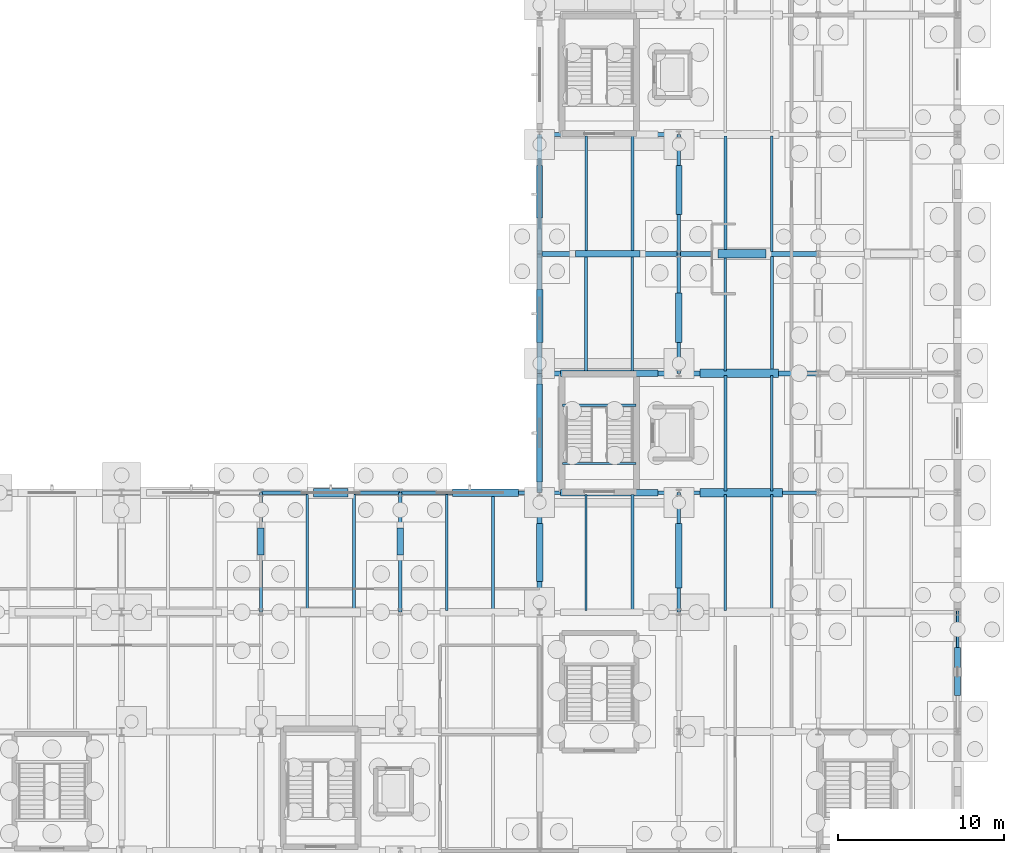
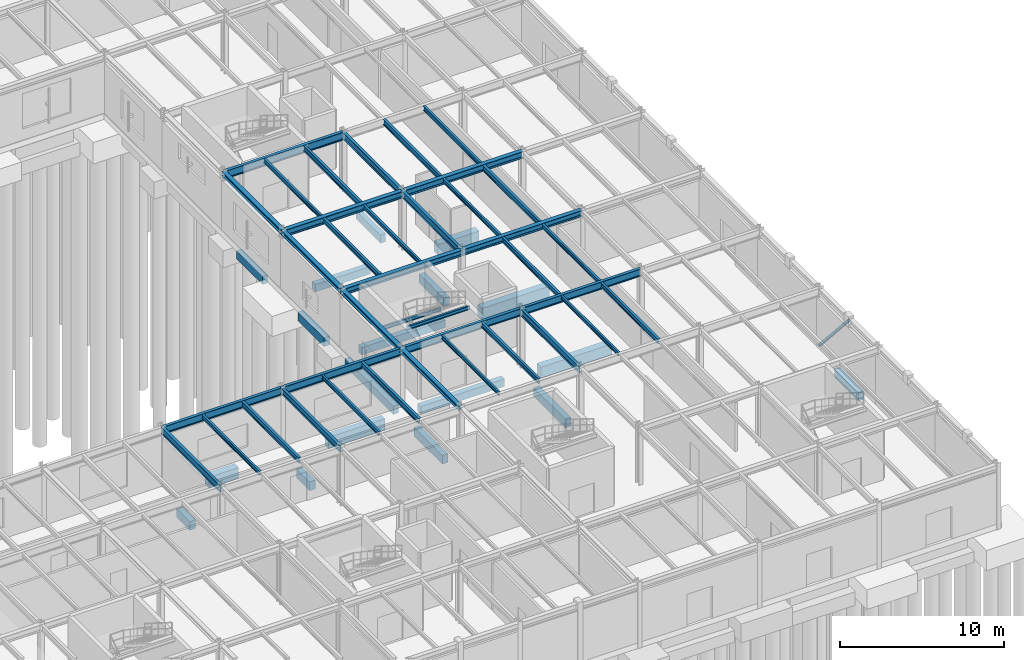
# One storey, part 44 of 93: 56 beams, 1 member.
"""IFC4 building model written with IfcOpenShell, lengths in metres."""

from ifc_helpers import new_model, si_unit, derived_unit, direction, frame, origin, origin_2d, place, context, subcontext, project, spatial, rectangle, hollow_rectangle, i_section, extrude, material, material_profile, profile_set, type_object, element, save


model = new_model("IFC4")

# Units and contexts
model_context = context("Model", 3, precision=1e-05, world=origin(), true_north=direction((0.0, 1.0)))
body_context = subcontext(model_context, "Body", "Model", "MODEL_VIEW")
ifc_project = project(units=[si_unit("LENGTHUNIT", "METRE"), si_unit("AREAUNIT", "SQUARE_METRE"), si_unit("VOLUMEUNIT", "CUBIC_METRE"), si_unit("PLANEANGLEUNIT", "RADIAN"), si_unit("MASSUNIT", "GRAM", prefix="KILO"), derived_unit("THERMALTRANSMITTANCEUNIT", [(si_unit("MASSUNIT", "GRAM", prefix="KILO"), 1), (si_unit("TIMEUNIT", "SECOND"), -3), (si_unit("THERMODYNAMICTEMPERATUREUNIT", "KELVIN"), -1)])], contexts=[model_context])

# Site, building, storey
site_placement = place(None, origin())
site = spatial("IfcSite", under=ifc_project, at=site_placement, CompositionType="ELEMENT")
building_placement = place(site_placement, origin())
building = spatial("IfcBuilding", under=site, at=building_placement, Name="Kharveza Railside Sports Centre", CompositionType="ELEMENT")
storey_placement = place(building_placement, origin())
storey = spatial("IfcBuildingStorey", under=building, at=storey_placement, Name="L00", CompositionType="ELEMENT", Elevation=0.0)

# Beams
ifc_material_1 = material(Name="Steel S355J2", Category="steel")
ifc_material_profile_1 = material_profile(ifc_material_1, i_section(OverallWidth=0.219970703125, OverallDepth=0.60009765625, WebThickness=0.011962890625, FlangeThickness=0.01904296875, FilletRadius=0.02392578125, at=origin_2d()), Name="IPE 600")
ifc_profile_set_1 = profile_set([ifc_material_profile_1], Name="Steel S355J2")
beam_type_1 = type_object("IfcBeamType", Name="BM-G01", PredefinedType="T_BEAM", material=ifc_profile_set_1)
beam_1_placement = place(storey_placement, frame((142.800048828125, 57.60009765625, 4.02001953125), z_axis=(1.0, 0.0, 0.0), x_axis=(0.0, 1.0, 0.0)))
element("IfcBeam", 1, at=beam_1_placement, inside=storey, type_object=beam_type_1, Name="BM-EW-L00-B01-X1428-Y576", PredefinedType="T_BEAM", context=body_context, shape_type="SweptSolid", body=[
    extrude(i_section(OverallWidth=0.219970703125, OverallDepth=0.60009765625, WebThickness=0.011962890625, FlangeThickness=0.01904296875, FilletRadius=0.02392578125, at=origin_2d()), origin(), (0.0, 0.0, 1.0), 8.39990234375),
])
ifc_material_profile_2 = material_profile(ifc_material_1, i_section(OverallWidth=0.2099609375, OverallDepth=0.550048828125, WebThickness=0.010986328125, FlangeThickness=0.01708984375, FilletRadius=0.02392578125, at=origin_2d()), Name="IPE 550")
ifc_profile_set_2 = profile_set([ifc_material_profile_2], Name="Steel S355J2")
beam_type_2 = type_object("IfcBeamType", Name="BM-G02", PredefinedType="T_BEAM", material=ifc_profile_set_2)
beam_2_placement = place(storey_placement, frame((126.0, 36.0, 4.044921875), z_axis=(1.0, 0.0, 0.0), x_axis=(0.0, 1.0, 0.0)))
element("IfcBeam", 2, at=beam_2_placement, inside=storey, type_object=beam_type_2, Name="BM-EW-L00-B02-X1260-Y360", PredefinedType="T_BEAM", context=body_context, shape_type="SweptSolid", body=[
    extrude(i_section(OverallWidth=0.2099609375, OverallDepth=0.550048828125, WebThickness=0.010986328125, FlangeThickness=0.01708984375, FilletRadius=0.02392578125, at=origin_2d()), origin(), (0.0, 0.0, 1.0), 8.39990234375),
])
beam_3_placement = place(storey_placement, frame((134.39990234375, 36.0, 4.044921875), z_axis=(1.0, 0.0, 0.0), x_axis=(0.0, 1.0, 0.0)))
element("IfcBeam", 3, at=beam_3_placement, inside=storey, type_object=beam_type_2, Name="BM-EW-L00-B02-X1344-Y360", PredefinedType="T_BEAM", context=body_context, shape_type="SweptSolid", body=[
    extrude(i_section(OverallWidth=0.2099609375, OverallDepth=0.550048828125, WebThickness=0.010986328125, FlangeThickness=0.01708984375, FilletRadius=0.02392578125, at=origin_2d()), origin(), (0.0, 0.0, 1.0), 8.400146484375),
])
beam_4_placement = place(storey_placement, frame((142.800048828125, 36.0, 4.044921875), z_axis=(1.0, 0.0, 0.0), x_axis=(0.0, 1.0, 0.0)))
element("IfcBeam", 4, at=beam_4_placement, inside=storey, type_object=beam_type_2, Name="BM-EW-L00-B02-X1428-Y360", PredefinedType="T_BEAM", context=body_context, shape_type="SweptSolid", body=[
    extrude(i_section(OverallWidth=0.2099609375, OverallDepth=0.550048828125, WebThickness=0.010986328125, FlangeThickness=0.01708984375, FilletRadius=0.02392578125, at=origin_2d()), origin(), (0.0, 0.0, 1.0), 8.39990234375),
])
beam_5_placement = place(storey_placement, frame((151.199951171875, 36.0, 4.044921875), z_axis=(1.0, 0.0, 0.0), x_axis=(0.0, 1.0, 0.0)))
element("IfcBeam", 5, at=beam_5_placement, inside=storey, type_object=beam_type_2, Name="BM-EW-L00-B02-X1512-Y360", PredefinedType="T_BEAM", context=body_context, shape_type="SweptSolid", body=[
    extrude(i_section(OverallWidth=0.2099609375, OverallDepth=0.550048828125, WebThickness=0.010986328125, FlangeThickness=0.01708984375, FilletRadius=0.02392578125, at=origin_2d()), origin(), (0.0, 0.0, 1.0), 8.400146484375),
])
ifc_material_profile_3 = material_profile(ifc_material_1, i_section(OverallWidth=0.199951171875, OverallDepth=0.5, WebThickness=0.01025390625, FlangeThickness=0.01611328125, FilletRadius=0.02099609375, at=origin_2d()), Name="IPE 500")
ifc_profile_set_3 = profile_set([ifc_material_profile_3], Name="Steel S355J2")
beam_type_3 = type_object("IfcBeamType", Name="BM-G03", PredefinedType="T_BEAM", material=ifc_profile_set_3)
for number, where, z_axis, x_axis, name in (
    (6, (126.0, 28.800048828125, 4.070068359375), (0.0, 1.0, 0.0), (-1.0, 0.0, 0.0), "BM-NS-L00-B03-X1260-Y288"),
    (7, (151.199951171875, 28.800048828125, 4.070068359375), (0.0, 1.0, 0.0), (-1.0, 0.0, 0.0), "BM-NS-L00-B03-X1512-Y288"),
    (8, (151.199951171875, 43.199951171875, 4.070068359375), (0.0, 1.0, 0.0), (-1.0, 0.0, 0.0), "BM-NS-L00-B03-X1512-Y432"),
):
    element("IfcBeam", number, at=place(storey_placement, frame(where, z_axis=z_axis, x_axis=x_axis)), inside=storey, type_object=beam_type_3, Name=name, PredefinedType="T_BEAM", context=body_context, shape_type="SweptSolid", body=[
        extrude(i_section(OverallWidth=0.199951171875, OverallDepth=0.5, WebThickness=0.01025390625, FlangeThickness=0.01611328125, FilletRadius=0.02099609375, at=origin_2d()), origin(), (0.0, 0.0, 1.0), 7.199951171875),
    ])
beam_6_placement = place(storey_placement, frame((151.199951171875, 50.39990234375, 4.070068359375), z_axis=(0.0, 1.0, 0.0), x_axis=(-1.0, 0.0, 0.0)))
element("IfcBeam", 9, at=beam_6_placement, inside=storey, type_object=beam_type_3, Name="BM-NS-L00-B03-X1512-Y504", PredefinedType="T_BEAM", context=body_context, shape_type="SweptSolid", body=[
    extrude(i_section(OverallWidth=0.199951171875, OverallDepth=0.5, WebThickness=0.01025390625, FlangeThickness=0.01611328125, FilletRadius=0.02099609375, at=origin_2d()), origin(), (0.0, 0.0, 1.0), 7.2001953125),
])
ifc_material_profile_4 = material_profile(ifc_material_1, i_section(OverallWidth=0.18994140625, OverallDepth=0.449951171875, WebThickness=0.009521484375, FlangeThickness=0.0146484375, FilletRadius=0.02099609375, at=origin_2d()), Name="IPE 450")
ifc_profile_set_4 = profile_set([ifc_material_profile_4], Name="Steel S355J2")
beam_type_4 = type_object("IfcBeamType", Name="BM-G04", PredefinedType="T_BEAM", material=ifc_profile_set_4)
beam_7_placement = place(storey_placement, frame((134.39990234375, 28.800048828125, 4.094970703125), z_axis=(0.0, 1.0, 0.0), x_axis=(-1.0, 0.0, 0.0)))
element("IfcBeam", 10, at=beam_7_placement, inside=storey, type_object=beam_type_4, Name="BM-NS-L00-B04-X1344-Y288", PredefinedType="T_BEAM", context=body_context, shape_type="SweptSolid", body=[
    extrude(i_section(OverallWidth=0.18994140625, OverallDepth=0.449951171875, WebThickness=0.009521484375, FlangeThickness=0.0146484375, FilletRadius=0.02099609375, at=origin_2d()), origin(), (0.0, 0.0, 1.0), 7.199951171875),
])
ifc_material_profile_5 = material_profile(ifc_material_1, i_section(OverallWidth=0.300048828125, OverallDepth=0.5, WebThickness=0.014404296875, FlangeThickness=0.028076171875, FilletRadius=0.027099609375, at=origin_2d()), Name="HEB 500")
ifc_profile_set_5 = profile_set([ifc_material_profile_5], Name="Steel S355J2")
beam_type_5 = type_object("IfcBeamType", Name="BM-G05", PredefinedType="T_BEAM", material=ifc_profile_set_5)
beam_8_placement = place(storey_placement, frame((142.800048828125, 50.39990234375, 4.070068359375), z_axis=(1.0, 0.0, 0.0), x_axis=(0.0, 1.0, 0.0)))
element("IfcBeam", 11, at=beam_8_placement, inside=storey, type_object=beam_type_5, Name="BM-EW-L00-B05-X1428-Y504", PredefinedType="T_BEAM", context=body_context, shape_type="SweptSolid", body=[
    extrude(i_section(OverallWidth=0.300048828125, OverallDepth=0.5, WebThickness=0.014404296875, FlangeThickness=0.028076171875, FilletRadius=0.027099609375, at=origin_2d()), origin(), (0.0, 0.0, 1.0), 8.39990234375),
])
beam_9_placement = place(storey_placement, frame((151.199951171875, 50.39990234375, 4.070068359375), z_axis=(1.0, 0.0, 0.0), x_axis=(0.0, 1.0, 0.0)))
element("IfcBeam", 12, at=beam_9_placement, inside=storey, type_object=beam_type_5, Name="BM-EW-L00-B05-X1512-Y504", PredefinedType="T_BEAM", context=body_context, shape_type="SweptSolid", body=[
    extrude(i_section(OverallWidth=0.300048828125, OverallDepth=0.5, WebThickness=0.014404296875, FlangeThickness=0.028076171875, FilletRadius=0.027099609375, at=origin_2d()), origin(), (0.0, 0.0, 1.0), 8.400146484375),
])
ifc_material_profile_6 = material_profile(ifc_material_1, i_section(OverallWidth=0.300048828125, OverallDepth=0.449951171875, WebThickness=0.013916015625, FlangeThickness=0.02587890625, FilletRadius=0.027099609375, at=origin_2d()), Name="HEB 450")
ifc_profile_set_6 = profile_set([ifc_material_profile_6], Name="Steel S355J2")
beam_type_6 = type_object("IfcBeamType", Name="BM-G06", PredefinedType="T_BEAM", material=ifc_profile_set_6)
beam_10_placement = place(storey_placement, frame((142.800048828125, 43.199951171875, 4.094970703125), z_axis=(1.0, 0.0, 0.0), x_axis=(0.0, 1.0, 0.0)))
element("IfcBeam", 13, at=beam_10_placement, inside=storey, type_object=beam_type_6, Name="BM-EW-L00-B06-X1428-Y432", PredefinedType="T_BEAM", context=body_context, shape_type="SweptSolid", body=[
    extrude(i_section(OverallWidth=0.300048828125, OverallDepth=0.449951171875, WebThickness=0.013916015625, FlangeThickness=0.02587890625, FilletRadius=0.027099609375, at=origin_2d()), origin(), (0.0, 0.0, 1.0), 8.39990234375),
])
beam_11_placement = place(storey_placement, frame((151.199951171875, 43.199951171875, 4.094970703125), z_axis=(1.0, 0.0, 0.0), x_axis=(0.0, 1.0, 0.0)))
element("IfcBeam", 14, at=beam_11_placement, inside=storey, type_object=beam_type_6, Name="BM-EW-L00-B06-X1512-Y432", PredefinedType="T_BEAM", context=body_context, shape_type="SweptSolid", body=[
    extrude(i_section(OverallWidth=0.300048828125, OverallDepth=0.449951171875, WebThickness=0.013916015625, FlangeThickness=0.02587890625, FilletRadius=0.027099609375, at=origin_2d()), origin(), (0.0, 0.0, 1.0), 8.400146484375),
])
ifc_material_2 = material(Name="Concrete C35/45", Category="concrete")
ifc_material_profile_7 = material_profile(ifc_material_2, rectangle(XDim=0.5, YDim=0.800048828125, at=origin_2d()), Name="RCB 500x800")
ifc_profile_set_7 = profile_set([ifc_material_profile_7], Name="Concrete C35/45")
beam_type_7 = type_object("IfcBeamType", Name="BM-RC01", PredefinedType="T_BEAM", material=ifc_profile_set_7)
beam_12_placement = place(storey_placement, frame((129.159912109375, 36.0, -0.820068359375), z_axis=(1.0, 0.0, 0.0), x_axis=(0.0, 1.0, 0.0)))
element("IfcBeam", 15, at=beam_12_placement, inside=storey, type_object=beam_type_7, Name="BM-PLINTH-EW-B25-X1260-Y360-1", PredefinedType="T_BEAM", context=body_context, shape_type="SweptSolid", body=[
    extrude(rectangle(XDim=0.5, YDim=0.800048828125, at=origin_2d()), origin(), (0.0, 0.0, 1.0), 2.080078125),
])
beam_13_placement = place(storey_placement, frame((152.4599609375, 36.0, -0.820068359375), z_axis=(1.0, 0.0, 0.0), x_axis=(0.0, 1.0, 0.0)))
element("IfcBeam", 16, at=beam_13_placement, inside=storey, type_object=beam_type_7, Name="BM-PLINTH-EW-B25-X1512-Y360-1", PredefinedType="T_BEAM", context=body_context, shape_type="SweptSolid", body=[
    extrude(rectangle(XDim=0.5, YDim=0.800048828125, at=origin_2d()), origin(), (0.0, 0.0, 1.0), 4.97998046875),
])
beam_14_placement = place(storey_placement, frame((152.4599609375, 43.199951171875, -0.820068359375), z_axis=(1.0, 0.0, 0.0), x_axis=(0.0, 1.0, 0.0)))
element("IfcBeam", 17, at=beam_14_placement, inside=storey, type_object=beam_type_7, Name="BM-PLINTH-EW-B25-X1512-Y432-1", PredefinedType="T_BEAM", context=body_context, shape_type="SweptSolid", body=[
    extrude(rectangle(XDim=0.5, YDim=0.800048828125, at=origin_2d()), origin(), (0.0, 0.0, 1.0), 4.755126953125),
])
beam_15_placement = place(storey_placement, frame((153.56005859375, 50.39990234375, -0.820068359375), z_axis=(1.0, 0.0, 0.0), x_axis=(0.0, 1.0, 0.0)))
element("IfcBeam", 18, at=beam_15_placement, inside=storey, type_object=beam_type_7, Name="BM-PLINTH-EW-B25-X1512-Y504-1", PredefinedType="T_BEAM", context=body_context, shape_type="SweptSolid", body=[
    extrude(rectangle(XDim=0.5, YDim=0.800048828125, at=origin_2d()), origin(), (0.0, 0.0, 1.0), 2.8798828125),
])
ifc_material_profile_8 = material_profile(ifc_material_2, rectangle(XDim=0.39990234375, YDim=0.64990234375, at=origin_2d()), Name="RCB 400x650")
ifc_profile_set_8 = profile_set([ifc_material_profile_8], Name="Concrete C35/45")
beam_type_8 = type_object("IfcBeamType", Name="BM-RC02", PredefinedType="BEAM", material=ifc_profile_set_8)
for number, where, z_axis, x_axis, name in (
    (19, (126.0, 32.260009765625, -0.7451171875), (0.0, 1.0, 0.0), (-1.0, 0.0, 0.0), "BM-PLINTH-NS-B26-X1260-Y288-1"),
    (20, (134.39990234375, 32.260009765625, -0.7451171875), (0.0, 1.0, 0.0), (-1.0, 0.0, 0.0), "BM-PLINTH-NS-B26-X1344-Y288-1"),
):
    element("IfcBeam", number, at=place(storey_placement, frame(where, z_axis=z_axis, x_axis=x_axis)), inside=storey, type_object=beam_type_8, Name=name, PredefinedType="BEAM", context=body_context, shape_type="SweptSolid", body=[
        extrude(rectangle(XDim=0.39990234375, YDim=0.64990234375, at=origin_2d()), origin(), (0.0, 0.0, 1.0), 1.60498046875),
    ])
beam_16_placement = place(storey_placement, frame((142.800048828125, 30.659912109375, -0.7451171875), z_axis=(0.0, 1.0, 0.0), x_axis=(-1.0, 0.0, 0.0)))
element("IfcBeam", 21, at=beam_16_placement, inside=storey, type_object=beam_type_8, Name="BM-PLINTH-NS-B26-X1428-Y288-1", PredefinedType="BEAM", context=body_context, shape_type="SweptSolid", body=[
    extrude(rectangle(XDim=0.39990234375, YDim=0.64990234375, at=origin_2d()), origin(), (0.0, 0.0, 1.0), 3.47998046875),
])
beam_17_placement = place(storey_placement, frame((142.800048828125, 45.06005859375, -0.7451171875), z_axis=(0.0, 1.0, 0.0), x_axis=(-1.0, 0.0, 0.0)))
element("IfcBeam", 22, at=beam_17_placement, inside=storey, type_object=beam_type_8, Name="BM-PLINTH-NS-B26-X1428-Y432-1", PredefinedType="BEAM", context=body_context, shape_type="SweptSolid", body=[
    extrude(rectangle(XDim=0.39990234375, YDim=0.64990234375, at=origin_2d()), origin(), (0.0, 0.0, 1.0), 3.179931640625),
])
beam_18_placement = place(storey_placement, frame((151.199951171875, 30.260009765625, -0.7451171875), z_axis=(0.0, 1.0, 0.0), x_axis=(-1.0, 0.0, 0.0)))
element("IfcBeam", 23, at=beam_18_placement, inside=storey, type_object=beam_type_8, Name="BM-PLINTH-NS-B26-X1512-Y288-1", PredefinedType="BEAM", context=body_context, shape_type="SweptSolid", body=[
    extrude(rectangle(XDim=0.39990234375, YDim=0.64990234375, at=origin_2d()), origin(), (0.0, 0.0, 1.0), 3.8798828125),
])
beam_19_placement = place(storey_placement, frame((151.199951171875, 45.06005859375, -0.7451171875), z_axis=(0.0, 1.0, 0.0), x_axis=(-1.0, 0.0, 0.0)))
element("IfcBeam", 24, at=beam_19_placement, inside=storey, type_object=beam_type_8, Name="BM-PLINTH-NS-B26-X1512-Y432-1", PredefinedType="BEAM", context=body_context, shape_type="SweptSolid", body=[
    extrude(rectangle(XDim=0.39990234375, YDim=0.64990234375, at=origin_2d()), origin(), (0.0, 0.0, 1.0), 2.97998046875),
])
ifc_material_profile_9 = material_profile(ifc_material_2, rectangle(XDim=0.449951171875, YDim=0.85009765625, at=origin_2d()), Name="RCB 450x850")
ifc_profile_set_9 = profile_set([ifc_material_profile_9], Name="Concrete C35/45")
beam_type_9 = type_object("IfcBeamType", Name="BM-RC05", PredefinedType="T_BEAM", material=ifc_profile_set_9)
beam_20_placement = place(storey_placement, frame((137.56005859375, 36.0, -0.844970703125), z_axis=(1.0, 0.0, 0.0), x_axis=(0.0, 1.0, 0.0)))
element("IfcBeam", 25, at=beam_20_placement, inside=storey, type_object=beam_type_9, Name="BM-PLINTH-EW-B29-X1344-Y360-1", PredefinedType="T_BEAM", context=body_context, shape_type="SweptSolid", body=[
    extrude(rectangle(XDim=0.449951171875, YDim=0.85009765625, at=origin_2d()), origin(), (0.0, 0.0, 1.0), 3.97998046875),
])
ifc_material_profile_10 = material_profile(ifc_material_2, rectangle(XDim=0.35009765625, YDim=0.60009765625, at=origin_2d()), Name="RCB 350x600")
ifc_profile_set_10 = profile_set([ifc_material_profile_10], Name="Concrete C35/45")
beam_type_10 = type_object("IfcBeamType", Name="BM-RC06", PredefinedType="BEAM", material=ifc_profile_set_10)
beam_21_placement = place(storey_placement, frame((142.800048828125, 36.659912109375, -0.719970703125), z_axis=(0.0, 1.0, 0.0), x_axis=(-1.0, 0.0, 0.0)))
element("IfcBeam", 26, at=beam_21_placement, inside=storey, type_object=beam_type_10, Name="BM-PLINTH-NS-B30-X1428-Y360-1", PredefinedType="BEAM", context=body_context, shape_type="SweptSolid", body=[
    extrude(rectangle(XDim=0.35009765625, YDim=0.60009765625, at=origin_2d()), origin(), (0.0, 0.0, 1.0), 5.880126953125),
])
beam_22_placement = place(storey_placement, frame((142.800048828125, 52.56005859375, -0.719970703125), z_axis=(0.0, 1.0, 0.0), x_axis=(-1.0, 0.0, 0.0)))
element("IfcBeam", 27, at=beam_22_placement, inside=storey, type_object=beam_type_10, Name="BM-PLINTH-NS-B30-X1428-Y504-1", PredefinedType="BEAM", context=body_context, shape_type="SweptSolid", body=[
    extrude(rectangle(XDim=0.35009765625, YDim=0.60009765625, at=origin_2d()), origin(), (0.0, 0.0, 1.0), 3.179931640625),
])
beam_23_placement = place(storey_placement, frame((151.199951171875, 52.760009765625, -0.719970703125), z_axis=(0.0, 1.0, 0.0), x_axis=(-1.0, 0.0, 0.0)))
element("IfcBeam", 28, at=beam_23_placement, inside=storey, type_object=beam_type_10, Name="BM-PLINTH-NS-B30-X1512-Y504-1", PredefinedType="BEAM", context=body_context, shape_type="SweptSolid", body=[
    extrude(rectangle(XDim=0.35009765625, YDim=0.60009765625, at=origin_2d()), origin(), (0.0, 0.0, 1.0), 2.97998046875),
])
beam_24_placement = place(storey_placement, frame((168.0, 23.760009765625, -0.719970703125), z_axis=(0.0, 1.0, 0.0), x_axis=(-1.0, 0.0, 0.0)))
element("IfcBeam", 29, at=beam_24_placement, inside=storey, type_object=beam_type_10, Name="BM-PLINTH-NS-B30-X1680-Y216-1", PredefinedType="BEAM", context=body_context, shape_type="SweptSolid", body=[
    extrude(rectangle(XDim=0.35009765625, YDim=0.60009765625, at=origin_2d()), origin(), (0.0, 0.0, 1.0), 2.905029296875),
])
ifc_material_profile_11 = material_profile(ifc_material_2, rectangle(XDim=0.39990234375, YDim=0.550048828125, at=origin_2d()), Name="RCB 400x550")
ifc_profile_set_11 = profile_set([ifc_material_profile_11], Name="Concrete C35/45")
beam_type_11 = type_object("IfcBeamType", Name="BM-RC07", PredefinedType="LINTEL", material=ifc_profile_set_11)
for number, where, z_axis, x_axis, name in (
    (30, (144.06005859375, 36.0, -0.695068359375), (1.0, 0.0, 0.0), (0.0, 1.0, 0.0), "BM-PLINTH-EW-B31-X1428-Y360-1"),
    (31, (144.06005859375, 43.199951171875, -0.695068359375), (1.0, 0.0, 0.0), (0.0, 1.0, 0.0), "BM-PLINTH-EW-B31-X1428-Y432-1"),
):
    element("IfcBeam", number, at=place(storey_placement, frame(where, z_axis=z_axis, x_axis=x_axis)), inside=storey, type_object=beam_type_11, Name=name, PredefinedType="LINTEL", context=body_context, shape_type="SweptSolid", body=[
        extrude(rectangle(XDim=0.39990234375, YDim=0.550048828125, at=origin_2d()), origin(), (0.0, 0.0, 1.0), 5.8798828125),
    ])
beam_25_placement = place(storey_placement, frame((144.9599609375, 50.39990234375, -0.695068359375), z_axis=(1.0, 0.0, 0.0), x_axis=(0.0, 1.0, 0.0)))
element("IfcBeam", 32, at=beam_25_placement, inside=storey, type_object=beam_type_11, Name="BM-PLINTH-EW-B31-X1428-Y504-1", PredefinedType="LINTEL", context=body_context, shape_type="SweptSolid", body=[
    extrude(rectangle(XDim=0.39990234375, YDim=0.550048828125, at=origin_2d()), origin(), (0.0, 0.0, 1.0), 3.880126953125),
])
ifc_material_profile_12 = material_profile(ifc_material_1, i_section(OverallWidth=0.179931640625, OverallDepth=0.39990234375, WebThickness=0.008544921875, FlangeThickness=0.013427734375, FilletRadius=0.02099609375, at=origin_2d()), Name="IPE 400")
ifc_profile_set_12 = profile_set([ifc_material_profile_12], Name="Steel S355J2")
beam_type_12 = type_object("IfcBeamType", Name="BM-S01", PredefinedType="BEAM", material=ifc_profile_set_12)
for number, where, z_axis, x_axis, name in (
    (33, (131.60009765625, 28.906982421875, 4.1201171875), (0.0, 1.0, 0.0), (-1.0, 0.0, 0.0), "BM-SEC-L00-B09-X1316-Y288"),
    (34, (140.0, 28.906982421875, 4.1201171875), (0.0, 1.0, 0.0), (-1.0, 0.0, 0.0), "BM-SEC-L00-B09-X1400-Y288"),
):
    element("IfcBeam", number, at=place(storey_placement, frame(where, z_axis=z_axis, x_axis=x_axis)), inside=storey, type_object=beam_type_12, Name=name, PredefinedType="BEAM", context=body_context, shape_type="SweptSolid", body=[
        extrude(i_section(OverallWidth=0.179931640625, OverallDepth=0.39990234375, WebThickness=0.008544921875, FlangeThickness=0.013427734375, FilletRadius=0.02099609375, at=origin_2d()), origin(), (0.0, 0.0, 1.0), 6.990966796875),
    ])
beam_26_placement = place(storey_placement, frame((148.39990234375, 50.547119140625, 4.1201171875), z_axis=(0.0, 1.0, 0.0), x_axis=(-1.0, 0.0, 0.0)))
element("IfcBeam", 35, at=beam_26_placement, inside=storey, type_object=beam_type_12, Name="BM-SEC-L00-B09-X1484-Y504", PredefinedType="BEAM", context=body_context, shape_type="SweptSolid", body=[
    extrude(i_section(OverallWidth=0.179931640625, OverallDepth=0.39990234375, WebThickness=0.008544921875, FlangeThickness=0.013427734375, FilletRadius=0.02099609375, at=origin_2d()), origin(), (0.0, 0.0, 1.0), 6.94580078125),
])
beam_27_placement = place(storey_placement, frame((156.800048828125, 43.346923828125, 4.1201171875), z_axis=(0.0, 1.0, 0.0), x_axis=(-1.0, 0.0, 0.0)))
element("IfcBeam", 36, at=beam_27_placement, inside=storey, type_object=beam_type_12, Name="BM-SEC-L00-B09-X1568-Y432", PredefinedType="BEAM", context=body_context, shape_type="SweptSolid", body=[
    extrude(i_section(OverallWidth=0.179931640625, OverallDepth=0.39990234375, WebThickness=0.008544921875, FlangeThickness=0.013427734375, FilletRadius=0.02099609375, at=origin_2d()), origin(), (0.0, 0.0, 1.0), 6.906005859375),
])
beam_28_placement = place(storey_placement, frame((154.0, 50.547119140625, 4.1201171875), z_axis=(0.0, 1.0, 0.0), x_axis=(-1.0, 0.0, 0.0)))
element("IfcBeam", 37, at=beam_28_placement, inside=storey, type_object=beam_type_12, Name="BM-SEC-L00-B09-X1540-Y504", PredefinedType="BEAM", context=body_context, shape_type="SweptSolid", body=[
    extrude(i_section(OverallWidth=0.179931640625, OverallDepth=0.39990234375, WebThickness=0.008544921875, FlangeThickness=0.013427734375, FilletRadius=0.02099609375, at=origin_2d()), origin(), (0.0, 0.0, 1.0), 6.94580078125),
])
ifc_material_profile_13 = material_profile(ifc_material_1, i_section(OverallWidth=0.169921875, OverallDepth=0.360107421875, WebThickness=0.008056640625, FlangeThickness=0.0126953125, FilletRadius=0.01806640625, at=origin_2d()), Name="IPE 360")
ifc_profile_set_13 = profile_set([ifc_material_profile_13], Name="Steel S355J2")
beam_type_13 = type_object("IfcBeamType", Name="BM-S02", PredefinedType="BEAM", material=ifc_profile_set_13)
beam_29_placement = place(storey_placement, frame((148.39990234375, 28.906982421875, 4.139892578125), z_axis=(0.0, 1.0, 0.0), x_axis=(-1.0, 0.0, 0.0)))
element("IfcBeam", 38, at=beam_29_placement, inside=storey, type_object=beam_type_13, Name="BM-SEC-L00-B10-X1484-Y288", PredefinedType="BEAM", context=body_context, shape_type="SweptSolid", body=[
    extrude(i_section(OverallWidth=0.169921875, OverallDepth=0.360107421875, WebThickness=0.008056640625, FlangeThickness=0.0126953125, FilletRadius=0.01806640625, at=origin_2d()), origin(), (0.0, 0.0, 1.0), 6.990966796875),
])
beam_30_placement = place(storey_placement, frame((145.60009765625, 43.346923828125, 4.139892578125), z_axis=(0.0, 1.0, 0.0), x_axis=(-1.0, 0.0, 0.0)))
element("IfcBeam", 39, at=beam_30_placement, inside=storey, type_object=beam_type_13, Name="BM-SEC-L00-B10-X1456-Y432", PredefinedType="BEAM", context=body_context, shape_type="SweptSolid", body=[
    extrude(i_section(OverallWidth=0.169921875, OverallDepth=0.360107421875, WebThickness=0.008056640625, FlangeThickness=0.0126953125, FilletRadius=0.01806640625, at=origin_2d()), origin(), (0.0, 0.0, 1.0), 6.906005859375),
])
beam_31_placement = place(storey_placement, frame((156.800048828125, 28.906982421875, 4.139892578125), z_axis=(0.0, 1.0, 0.0), x_axis=(-1.0, 0.0, 0.0)))
element("IfcBeam", 40, at=beam_31_placement, inside=storey, type_object=beam_type_13, Name="BM-SEC-L00-B10-X1568-Y288", PredefinedType="BEAM", context=body_context, shape_type="SweptSolid", body=[
    extrude(i_section(OverallWidth=0.169921875, OverallDepth=0.360107421875, WebThickness=0.008056640625, FlangeThickness=0.0126953125, FilletRadius=0.01806640625, at=origin_2d()), origin(), (0.0, 0.0, 1.0), 6.990966796875),
])
beam_32_placement = place(storey_placement, frame((154.0, 36.10205078125, 4.139892578125), z_axis=(0.0, 1.0, 0.0), x_axis=(-1.0, 0.0, 0.0)))
element("IfcBeam", 41, at=beam_32_placement, inside=storey, type_object=beam_type_13, Name="BM-SEC-L00-B10-X1540-Y360", PredefinedType="BEAM", context=body_context, shape_type="SweptSolid", body=[
    extrude(i_section(OverallWidth=0.169921875, OverallDepth=0.360107421875, WebThickness=0.008056640625, FlangeThickness=0.0126953125, FilletRadius=0.01806640625, at=origin_2d()), origin(), (0.0, 0.0, 1.0), 6.950927734375),
])
ifc_material_profile_14 = material_profile(ifc_material_1, i_section(OverallWidth=0.159912109375, OverallDepth=0.330078125, WebThickness=0.007568359375, FlangeThickness=0.011474609375, FilletRadius=0.01806640625, at=origin_2d()), Name="IPE 330")
ifc_profile_set_14 = profile_set([ifc_material_profile_14], Name="Steel S355J2")
beam_type_14 = type_object("IfcBeamType", Name="BM-S03", PredefinedType="BEAM", material=ifc_profile_set_14)
beam_33_placement = place(storey_placement, frame((156.800048828125, 50.547119140625, 4.155029296875), z_axis=(0.0, 1.0, 0.0), x_axis=(-1.0, 0.0, 0.0)))
element("IfcBeam", 42, at=beam_33_placement, inside=storey, type_object=beam_type_14, Name="BM-SEC-L00-B11-X1568-Y504", PredefinedType="BEAM", context=body_context, shape_type="SweptSolid", body=[
    extrude(i_section(OverallWidth=0.159912109375, OverallDepth=0.330078125, WebThickness=0.007568359375, FlangeThickness=0.011474609375, FilletRadius=0.01806640625, at=origin_2d()), origin(), (0.0, 0.0, 1.0), 6.94580078125),
])
ifc_material_profile_15 = material_profile(ifc_material_1, i_section(OverallWidth=0.14990234375, OverallDepth=0.300048828125, WebThickness=0.007080078125, FlangeThickness=0.0107421875, FilletRadius=0.014892578125, at=origin_2d()), Name="IPE 300")
ifc_profile_set_15 = profile_set([ifc_material_profile_15], Name="Steel S355J2")
beam_type_15 = type_object("IfcBeamType", Name="BM-S04", PredefinedType="BEAM", material=ifc_profile_set_15)
for number, where, z_axis, x_axis, name in (
    (43, (128.800048828125, 28.906982421875, 4.169921875), (0.0, 1.0, 0.0), (-1.0, 0.0, 0.0), "BM-SEC-L00-B12-X1288-Y288"),
    (44, (137.199951171875, 28.906982421875, 4.169921875), (0.0, 1.0, 0.0), (-1.0, 0.0, 0.0), "BM-SEC-L00-B12-X1372-Y288"),
):
    element("IfcBeam", number, at=place(storey_placement, frame(where, z_axis=z_axis, x_axis=x_axis)), inside=storey, type_object=beam_type_15, Name=name, PredefinedType="BEAM", context=body_context, shape_type="SweptSolid", body=[
        extrude(i_section(OverallWidth=0.14990234375, OverallDepth=0.300048828125, WebThickness=0.007080078125, FlangeThickness=0.0107421875, FilletRadius=0.014892578125, at=origin_2d()), origin(), (0.0, 0.0, 1.0), 6.990966796875),
    ])
beam_34_placement = place(storey_placement, frame((148.39990234375, 43.346923828125, 4.169921875), z_axis=(0.0, 1.0, 0.0), x_axis=(-1.0, 0.0, 0.0)))
element("IfcBeam", 45, at=beam_34_placement, inside=storey, type_object=beam_type_15, Name="BM-SEC-L00-B12-X1484-Y432", PredefinedType="BEAM", context=body_context, shape_type="SweptSolid", body=[
    extrude(i_section(OverallWidth=0.14990234375, OverallDepth=0.300048828125, WebThickness=0.007080078125, FlangeThickness=0.0107421875, FilletRadius=0.014892578125, at=origin_2d()), origin(), (0.0, 0.0, 1.0), 6.906005859375),
])
beam_35_placement = place(storey_placement, frame((145.60009765625, 50.547119140625, 4.169921875), z_axis=(0.0, 1.0, 0.0), x_axis=(-1.0, 0.0, 0.0)))
element("IfcBeam", 46, at=beam_35_placement, inside=storey, type_object=beam_type_15, Name="BM-SEC-L00-B12-X1456-Y504", PredefinedType="BEAM", context=body_context, shape_type="SweptSolid", body=[
    extrude(i_section(OverallWidth=0.14990234375, OverallDepth=0.300048828125, WebThickness=0.007080078125, FlangeThickness=0.0107421875, FilletRadius=0.014892578125, at=origin_2d()), origin(), (0.0, 0.0, 1.0), 6.94580078125),
])
beam_36_placement = place(storey_placement, frame((156.800048828125, 36.10205078125, 4.169921875), z_axis=(0.0, 1.0, 0.0), x_axis=(-1.0, 0.0, 0.0)))
element("IfcBeam", 47, at=beam_36_placement, inside=storey, type_object=beam_type_15, Name="BM-SEC-L00-B12-X1568-Y360", PredefinedType="BEAM", context=body_context, shape_type="SweptSolid", body=[
    extrude(i_section(OverallWidth=0.14990234375, OverallDepth=0.300048828125, WebThickness=0.007080078125, FlangeThickness=0.0107421875, FilletRadius=0.014892578125, at=origin_2d()), origin(), (0.0, 0.0, 1.0), 6.950927734375),
])
beam_37_placement = place(storey_placement, frame((154.0, 43.346923828125, 4.169921875), z_axis=(0.0, 1.0, 0.0), x_axis=(-1.0, 0.0, 0.0)))
element("IfcBeam", 48, at=beam_37_placement, inside=storey, type_object=beam_type_15, Name="BM-SEC-L00-B12-X1540-Y432", PredefinedType="BEAM", context=body_context, shape_type="SweptSolid", body=[
    extrude(i_section(OverallWidth=0.14990234375, OverallDepth=0.300048828125, WebThickness=0.007080078125, FlangeThickness=0.0107421875, FilletRadius=0.014892578125, at=origin_2d()), origin(), (0.0, 0.0, 1.0), 6.906005859375),
])
ifc_material_profile_16 = material_profile(ifc_material_1, i_section(OverallWidth=0.135009765625, OverallDepth=0.27001953125, WebThickness=0.006591796875, FlangeThickness=0.01025390625, FilletRadius=0.014892578125, at=origin_2d()), Name="IPE 270")
ifc_profile_set_16 = profile_set([ifc_material_profile_16], Name="Steel S355J2")
beam_type_16 = type_object("IfcBeamType", Name="BM-S05", PredefinedType="BEAM", material=ifc_profile_set_16)
for number, where, z_axis, x_axis, name in (
    (49, (145.60009765625, 28.906982421875, 4.18505859375), (0.0, 1.0, 0.0), (-1.0, 0.0, 0.0), "BM-SEC-L00-B13-X1456-Y288"),
    (50, (154.0, 28.906982421875, 4.18505859375), (0.0, 1.0, 0.0), (-1.0, 0.0, 0.0), "BM-SEC-L00-B13-X1540-Y288"),
):
    element("IfcBeam", number, at=place(storey_placement, frame(where, z_axis=z_axis, x_axis=x_axis)), inside=storey, type_object=beam_type_16, Name=name, PredefinedType="BEAM", context=body_context, shape_type="SweptSolid", body=[
        extrude(i_section(OverallWidth=0.135009765625, OverallDepth=0.27001953125, WebThickness=0.006591796875, FlangeThickness=0.01025390625, FilletRadius=0.014892578125, at=origin_2d()), origin(), (0.0, 0.0, 1.0), 6.990966796875),
    ])
for number, where, z_axis, x_axis, name in (
    (51, (144.179931640625, 41.280029296875, 1.929931640625), (1.0, 0.0, 0.0), (0.0, 1.0, 0.0), "BM-HLND-ST1-L00"),
    (52, (144.179931640625, 37.760009765625, 4.179931640625), (1.0, 0.0, 0.0), (0.0, 1.0, 0.0), "BM-STLND-ST1-L01"),
):
    element("IfcBeam", number, at=place(storey_placement, frame(where, z_axis=z_axis, x_axis=x_axis)), inside=storey, type_object=beam_type_16, Name=name, PredefinedType="BEAM", context=body_context, shape_type="SweptSolid", body=[
        extrude(i_section(OverallWidth=0.135009765625, OverallDepth=0.27001953125, WebThickness=0.006591796875, FlangeThickness=0.01025390625, FilletRadius=0.014892578125, at=origin_2d()), origin(), (0.0, 0.0, 1.0), 4.440185546875),
    ])
ifc_material_profile_17 = material_profile(ifc_material_1, i_section(OverallWidth=0.300048828125, OverallDepth=0.31005859375, WebThickness=0.009033203125, FlangeThickness=0.015380859375, FilletRadius=0.027099609375, at=origin_2d()), Name="HEA 320")
ifc_profile_set_17 = profile_set([ifc_material_profile_17], Name="Steel S355J2")
beam_type_17 = type_object("IfcBeamType", Name="BM-S06", PredefinedType="BEAM", material=ifc_profile_set_17)
for number, where, z_axis, x_axis, name in (
    (53, (142.800048828125, 28.800048828125, 4.1650390625), (0.0, 1.0, 0.0), (-1.0, 0.0, 0.0), "BM-NS-L00-B14-X1428-Y288"),
    (54, (142.800048828125, 36.0, 4.1650390625), (0.0, 1.0, 0.0), (-1.0, 0.0, 0.0), "BM-NS-L00-B14-X1428-Y360"),
    (55, (142.800048828125, 43.199951171875, 4.1650390625), (0.0, 1.0, 0.0), (-1.0, 0.0, 0.0), "BM-NS-L00-B14-X1428-Y432"),
):
    element("IfcBeam", number, at=place(storey_placement, frame(where, z_axis=z_axis, x_axis=x_axis)), inside=storey, type_object=beam_type_17, Name=name, PredefinedType="BEAM", context=body_context, shape_type="SweptSolid", body=[
        extrude(i_section(OverallWidth=0.300048828125, OverallDepth=0.31005859375, WebThickness=0.009033203125, FlangeThickness=0.015380859375, FilletRadius=0.027099609375, at=origin_2d()), origin(), (0.0, 0.0, 1.0), 7.199951171875),
    ])
beam_38_placement = place(storey_placement, frame((142.800048828125, 50.39990234375, 4.1650390625), z_axis=(0.0, 1.0, 0.0), x_axis=(-1.0, 0.0, 0.0)))
element("IfcBeam", 56, at=beam_38_placement, inside=storey, type_object=beam_type_17, Name="BM-NS-L00-B14-X1428-Y504", PredefinedType="BEAM", context=body_context, shape_type="SweptSolid", body=[
    extrude(i_section(OverallWidth=0.300048828125, OverallDepth=0.31005859375, WebThickness=0.009033203125, FlangeThickness=0.015380859375, FilletRadius=0.027099609375, at=origin_2d()), origin(), (0.0, 0.0, 1.0), 7.2001953125),
])

# Member
ifc_material_profile_18 = material_profile(ifc_material_1, hollow_rectangle(XDim=0.179931640625, YDim=0.179931640625, WallThickness=0.010009765625, InnerFilletRadius=0.010009765625, OuterFilletRadius=0.02001953125, at=origin_2d()), Name="SHS 180x180x10.0")
ifc_profile_set_18 = profile_set([ifc_material_profile_18], Name="Steel S355J2")
member_type = type_object("IfcMemberType", Name="MB-BR01", PredefinedType="BRACE", material=ifc_profile_set_18)
member_placement = place(storey_placement, frame((168.0, 28.800048828125, 0.0), z_axis=(0.0, -0.664369431748, 0.747404347163), x_axis=(1.0, 0.0, 0.0)))
element("IfcMember", 57, at=member_placement, inside=storey, type_object=member_type, Name="MB-CHEV-NS-014B", PredefinedType="BRACE", context=body_context, shape_type="SweptSolid", body=[
    extrude(hollow_rectangle(XDim=0.179931640625, YDim=0.179931640625, WallThickness=0.010009765625, InnerFilletRadius=0.010009765625, OuterFilletRadius=0.02001953125, at=origin_2d()), origin(), (0.0, 0.0, 1.0), 5.418701171875),
])

save(model, "model.ifc")
